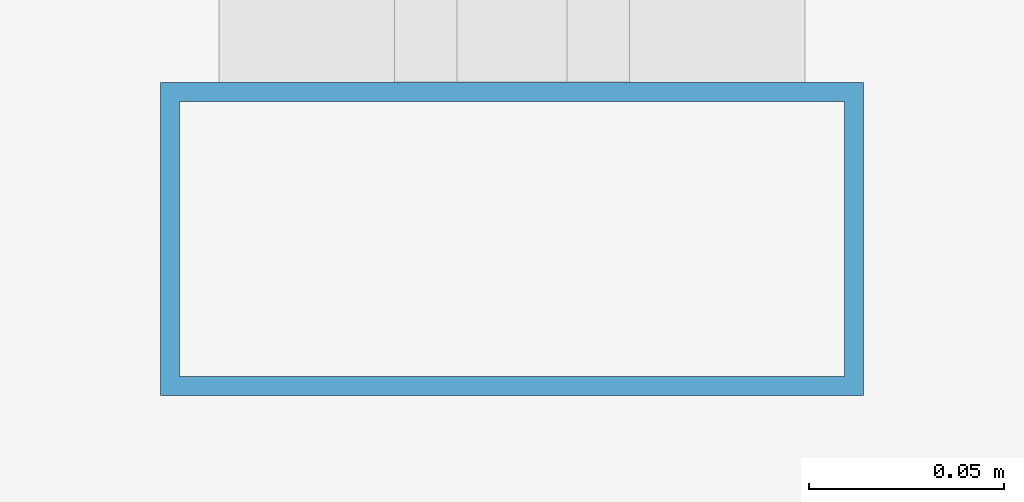
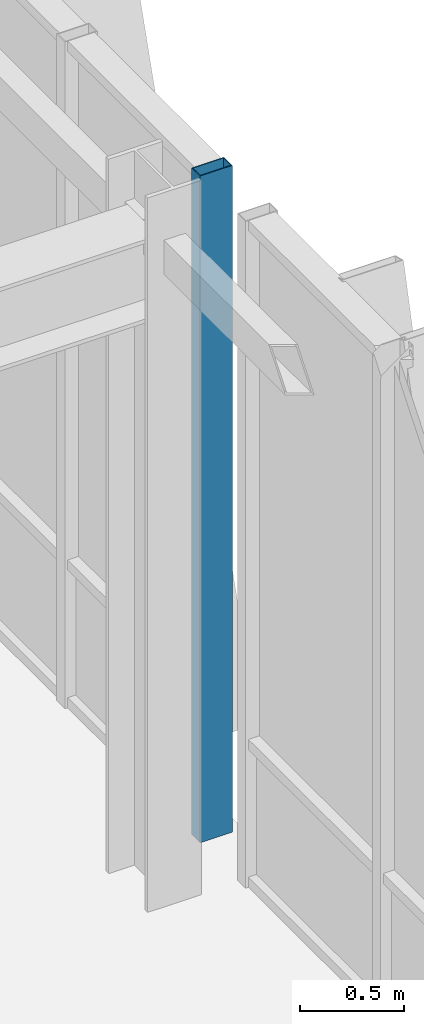
# One storey, part 61 of 127: 1 member, 1 element without a shape of its own.
"""IFC4 building model written with IfcOpenShell, lengths in metres."""

from ifc_helpers import new_model, si_unit, direction, frame, origin, origin_2d, place, context, subcontext, project, spatial, hollow_rectangle, extrude, material, layer, layer_set, material_profile, profile_set, type_object, element, aggregate, save


model = new_model("IFC4")

# Units and contexts
model_context = context("Model", 3, precision=1e-05, world=origin(), true_north=direction((0.0, 1.0)))
body_context = subcontext(model_context, "Body", "Model", "MODEL_VIEW")
ifc_project = project(units=[si_unit("LENGTHUNIT", "METRE"), si_unit("AREAUNIT", "SQUARE_METRE"), si_unit("VOLUMEUNIT", "CUBIC_METRE"), si_unit("PLANEANGLEUNIT", "RADIAN"), si_unit("MASSUNIT", "GRAM", prefix="KILO")], contexts=[model_context])

# Site, building, storey
site_placement = place(None, origin())
site = spatial("IfcSite", under=ifc_project, at=site_placement, CompositionType="ELEMENT")
building_placement = place(site_placement, origin())
building = spatial("IfcBuilding", under=site, at=building_placement, Name="Zayran Congress Hotel", CompositionType="ELEMENT")
storey_placement = place(building_placement, frame((0.0, 0.0, 10.800048828125)))
storey = spatial("IfcBuildingStorey", under=building, at=storey_placement, Name="L02", CompositionType="ELEMENT", Elevation=10.800048828125)

# Curtain wall, member
ifc_material_1 = material(Name="Anodised aluminium and low-E insulated glass", Category="aluminium")
ifc_layer = layer(ifc_material_1, 0.179931640625)
ifc_layer_set = layer_set([ifc_layer], Name="Anodised aluminium and low-E insulated glass")
curtain_wall_type = type_object("IfcCurtainWallType", Name="CW-V1E-L02-CW-41-8040-3920", PredefinedType="USERDEFINED", material=ifc_layer_set)
curtain_wall_placement = place(storey_placement, origin())
curtain_wall = element("IfcCurtainWall", 1, at=curtain_wall_placement, inside=storey, type_object=curtain_wall_type, Name="CW-V1E-L02-4", ObjectType="CURTAIN WALL", PredefinedType="USERDEFINED")
ifc_material_2 = material(Name="Anodised aluminium framing", Category="aluminium")
ifc_material_profile = material_profile(ifc_material_2, hollow_rectangle(XDim=0.080078125, YDim=0.179931640625, WallThickness=0.0048828125, at=origin_2d()), Name="RHS 180x80x5")
ifc_profile_set = profile_set([ifc_material_profile], Name="Anodised aluminium framing")
member_type = type_object("IfcMemberType", Name="TP-CWM-01", PredefinedType="MULLION", material=ifc_profile_set)
member_placement = place(storey_placement, frame((92.25, 101.419921875, 0.0), z_axis=(0.0, 0.0, 1.0), x_axis=(0.0, 1.0, 0.0)))
member = element("IfcMember", 2, at=member_placement, type_object=member_type, Name="CW-V1E-L02-4-M00", PredefinedType="MULLION", context=body_context, shape_type="SweptSolid", body=[
    extrude(hollow_rectangle(XDim=0.080078125, YDim=0.179931640625, WallThickness=0.0048828125, at=origin_2d()), origin(), (0.0, 0.0, 1.0), 3.919921875),
])
aggregate(curtain_wall, [member])

save(model, "model.ifc")
